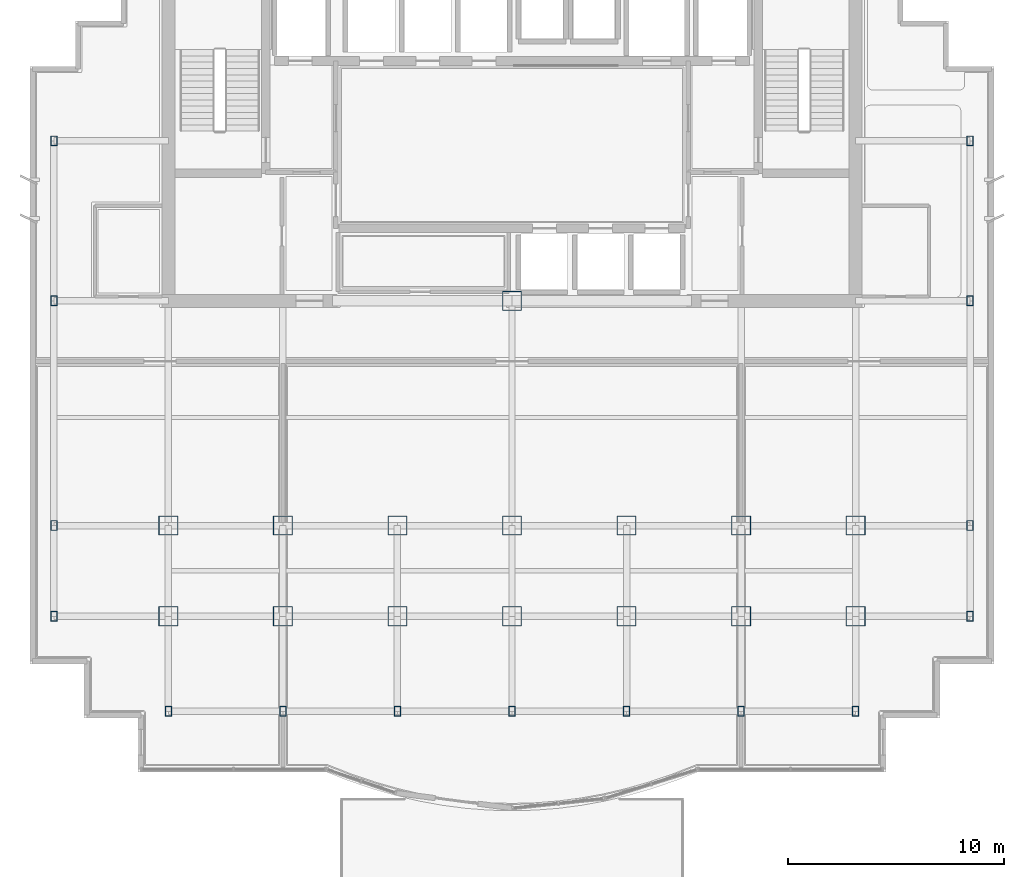
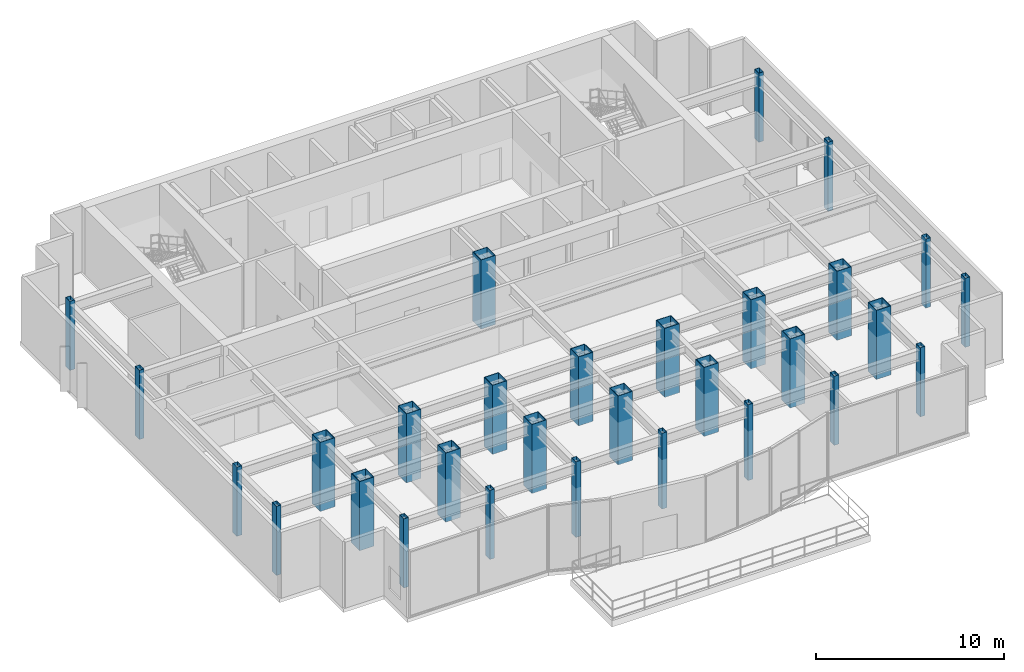
# One storey, part 1 of 9: 30 columns.
"""IFC4 building model written with IfcOpenShell, lengths in metres."""

import ifcopenshell
import ifcopenshell.guid

model = None  # the IFC model being written
_history = None  # IfcOwnerHistory: only IFC2X3 demands one
_inside = {}  # id of a spatial element -> (the spatial element, [elements in it])
_under = {}  # id of a project, library or spatial element -> (it, [spatial elements below it])
_declared = {}  # id of a project -> (the project, [libraries it declares])
_typed = {}  # id of a type object -> (the type object, [elements of that type])
_made_of = {}  # id of a material, layer set ... -> (it, [elements and type objects made of it])


def new_model(schema):
    """Start an empty IFC model of exactly this schema.

    Asked for "IFC4X3", IfcOpenShell would pick the latest addendum, in which some entities
    have other attributes; the version numbers below select the first issue.
    IFC2X3 requires an IfcOwnerHistory on every rooted entity: one is made here for all.
    """
    global model, _history
    if schema == "IFC4X3":
        model = ifcopenshell.file(schema_version=(4, 3, 0, 0))
    else:
        model = ifcopenshell.file(schema=schema)
    _inside.clear()
    _under.clear()
    _declared.clear()
    _typed.clear()
    _made_of.clear()
    _history = None
    if model.schema == "IFC2X3":
        org = make("IfcOrganization", Name="unknown")
        user = make(
            "IfcPersonAndOrganization",
            ThePerson=make("IfcPerson", FamilyName="unknown"),
            TheOrganization=org,
        )
        app = make(
            "IfcApplication",
            ApplicationDeveloper=org,
            Version="unknown",
            ApplicationFullName="unknown",
            ApplicationIdentifier="unknown",
        )
        _history = make(
            "IfcOwnerHistory",
            OwningUser=user,
            OwningApplication=app,
            ChangeAction="ADDED",
            CreationDate=0,
        )
    return model


def make(cls, **values):
    """One entity of the class cls with the attributes given. An attribute that is None is left unset."""
    return model.create_entity(
        cls, **{name: value for name, value in values.items() if value is not None}
    )


def rooted(cls, **values):
    """An entity with a GlobalId (a new one), such as an element, a storey or a relation."""
    return make(cls, GlobalId=ifcopenshell.guid.new(), OwnerHistory=_history, **values)


def si_unit(unit_type, name, prefix=None):
    """IfcSIUnit, for example si_unit("LENGTHUNIT", "METRE", prefix="MILLI")."""
    return make("IfcSIUnit", UnitType=unit_type, Prefix=prefix, Name=name)


def assignment(units):
    """IfcUnitAssignment: the units of a project."""
    return None if units is None else make("IfcUnitAssignment", Units=units)


def point(xyz):
    """IfcCartesianPoint."""
    return None if xyz is None else make("IfcCartesianPoint", Coordinates=xyz)


def direction(xyz):
    """IfcDirection."""
    return None if xyz is None else make("IfcDirection", DirectionRatios=xyz)


def frame(location, z_axis=None, x_axis=None):
    """IfcAxis2Placement3D, a coordinate frame: its origin and axes. An axis left out is left unset."""
    return make(
        "IfcAxis2Placement3D",
        Location=point(location),
        Axis=direction(z_axis),
        RefDirection=direction(x_axis),
    )


def frame_2d(location, x_axis=None):
    """IfcAxis2Placement2D, a coordinate frame in the plane: its origin and x axis."""
    return make(
        "IfcAxis2Placement2D", Location=point(location), RefDirection=direction(x_axis)
    )


def origin():
    """The frame at (0, 0, 0) with its axes left unset."""
    return frame((0.0, 0.0, 0.0))


def origin_2d():
    """The frame at (0, 0) in the plane with its x axis left unset."""
    return frame_2d((0.0, 0.0))


def place(relative_to, where):
    """IfcLocalPlacement: puts the frame where relative to a parent placement (None: the world)."""
    return make(
        "IfcLocalPlacement", PlacementRelTo=relative_to, RelativePlacement=where
    )


def context(
    kind, dimensions, precision=None, world=None, true_north=None, identifier=None
):
    """IfcGeometricRepresentationContext, for example the 3D "Model" context."""
    return make(
        "IfcGeometricRepresentationContext",
        ContextIdentifier=identifier,
        ContextType=kind,
        CoordinateSpaceDimension=dimensions,
        Precision=precision,
        WorldCoordinateSystem=world,
        TrueNorth=true_north,
    )


def subcontext(parent, identifier, kind, view, scale=None):
    """IfcGeometricRepresentationSubContext, for example "Body" below "Model"."""
    return make(
        "IfcGeometricRepresentationSubContext",
        ContextIdentifier=identifier,
        ContextType=kind,
        ParentContext=parent,
        TargetScale=scale,
        TargetView=view,
    )


def project(units=None, contexts=None):
    """IfcProject with its units and contexts."""
    return rooted(
        "IfcProject",
        Name="project",
        RepresentationContexts=contexts,
        UnitsInContext=assignment(units),
    )


def spatial(cls, under=None, at=None, **own):
    """A site, building, storey or space (cls), placed at a placement, below another one or the project."""
    s = rooted(cls, ObjectPlacement=at, **own)
    if under is not None:
        _under.setdefault(under.id(), (under, []))[1].append(s)
    return s


def profile(cls, at=None, kind="AREA", **sizes):
    """A parametric profile (cls). Its sizes go by their IFC names, for example OverallWidth=200.0."""
    return make(cls, ProfileType=kind, Position=at, **sizes)


def hollow_rectangle(**sizes):
    """IfcRectangleHollowProfileDef."""
    return profile("IfcRectangleHollowProfileDef", **sizes)


def extrude(swept, where, along, depth):
    """IfcExtrudedAreaSolid: the profile swept, set in the frame where, extruded along a direction by depth."""
    return make(
        "IfcExtrudedAreaSolid",
        SweptArea=swept,
        Position=where,
        ExtrudedDirection=direction(along),
        Depth=depth,
    )


def shape(context_of_items, identifier, shape_type, items):
    """IfcShapeRepresentation: the items that make up one representation, for example the "Body"."""
    return make(
        "IfcShapeRepresentation",
        ContextOfItems=context_of_items,
        RepresentationIdentifier=identifier,
        RepresentationType=shape_type,
        Items=items,
    )


def material(Name=None, Category=None):
    """IfcMaterial."""
    return make("IfcMaterial", Name=Name, Category=Category)


def material_profile(
    of_material, cross_section, Name=None, Category=None, Priority=None
):
    """IfcMaterialProfile: a cross section and its material."""
    return make(
        "IfcMaterialProfile",
        Name=Name,
        Material=of_material,
        Profile=cross_section,
        Priority=Priority,
        Category=Category,
    )


def profile_set(profiles, Name=None, composite=None):
    """IfcMaterialProfileSet."""
    return make(
        "IfcMaterialProfileSet",
        Name=Name,
        MaterialProfiles=profiles,
        CompositeProfile=composite,
    )


def made_of(thing, what):
    """Note that an element or type object is made of a material, layer set ...; save() writes the relation."""
    if what is not None:
        _made_of.setdefault(what.id(), (what, []))[1].append(thing)
    return thing


def type_object(cls, material=None, **own):
    """A type object (cls), such as IfcWallType, which elements share."""
    return made_of(rooted(cls, **own), material)


def element(
    cls,
    number,
    at=None,
    inside=None,
    cuts=None,
    type_object=None,
    material=None,
    context=None,
    identifier="Body",
    shape_type=None,
    held_by="IfcProductDefinitionShape",
    body=None,
    shapes=None,
    **own,
):
    """One element of the class cls, such as IfcWall. Its Tag is "e" and its number.

    at: its placement. inside: the storey or other place that contains it. cuts: it is an
    opening in that element (IfcRelVoidsElement). A single representation is given by context,
    identifier, shape_type and body (its items); several are given by shapes. held_by: the class
    of the entity that holds the representations. save() writes the other relations.
    """
    e = rooted(cls, Tag="e%d" % number, ObjectPlacement=at, **own)
    if body is not None:
        shapes = [shape(context, identifier, shape_type, body)]
    if shapes is not None:
        e.Representation = make(held_by, Representations=shapes)
    if inside is not None:
        _inside.setdefault(inside.id(), (inside, []))[1].append(e)
    if cuts is not None:
        rooted(
            "IfcRelVoidsElement", RelatingBuildingElement=cuts, RelatedOpeningElement=e
        )
    if type_object is not None:
        _typed.setdefault(type_object.id(), (type_object, []))[1].append(e)
    return made_of(e, material)


def aggregate(whole, parts):
    """IfcRelAggregates: a whole, such as a stair, and the parts it consists of."""
    return rooted("IfcRelAggregates", RelatingObject=whole, RelatedObjects=parts)


def save(model, path):
    """Write the relations noted so far, then the file.

    IfcRelAggregates (storeys below a building ...), IfcRelContainedInSpatialStructure (elements
    in a storey), IfcRelDefinesByType, IfcRelAssociatesMaterial and IfcRelDeclares: one each for
    every whole, place, type object, material and project.
    """
    for whole, parts in _under.values():
        aggregate(whole, parts)
    for where, things in _inside.values():
        rooted(
            "IfcRelContainedInSpatialStructure",
            RelatedElements=things,
            RelatingStructure=where,
        )
    for kind, things in _typed.values():
        rooted("IfcRelDefinesByType", RelatedObjects=things, RelatingType=kind)
    for what, things in _made_of.values():
        rooted("IfcRelAssociatesMaterial", RelatedObjects=things, RelatingMaterial=what)
    for by, libraries in _declared.values():
        rooted("IfcRelDeclares", RelatingContext=by, RelatedDefinitions=libraries)
    model.write(path)


model = new_model("IFC4")

# Units and contexts
model_context = context("Model", 3, precision=1e-05, world=origin(), true_north=direction((0.0, 1.0)))
body_context = subcontext(model_context, "Body", "Model", "MODEL_VIEW")
ifc_project = project(units=[si_unit("LENGTHUNIT", "METRE"), si_unit("AREAUNIT", "SQUARE_METRE"), si_unit("VOLUMEUNIT", "CUBIC_METRE"), si_unit("PLANEANGLEUNIT", "RADIAN"), si_unit("MASSUNIT", "GRAM", prefix="KILO")], contexts=[model_context])

# Site, building, storey
site_placement = place(None, origin())
site = spatial("IfcSite", under=ifc_project, at=site_placement, CompositionType="ELEMENT")
building_placement = place(site_placement, origin())
building = spatial("IfcBuilding", under=site, at=building_placement, Name="Qianlan Lanfeng Residences", CompositionType="ELEMENT")
storey_placement = place(building_placement, frame((0.0, 0.0, 134.699951171875)))
storey = spatial("IfcBuildingStorey", under=building, at=storey_placement, Name="L36", CompositionType="ELEMENT", Elevation=134.699951171875)

# Columns
ifc_material = material(Name="Steel SN490B", Category="steel")
ifc_material_profile_1 = material_profile(ifc_material, hollow_rectangle(XDim=0.89990234375, YDim=0.89990234375, WallThickness=0.031982421875, at=origin_2d()), Name="BOX 900x900x32")
ifc_profile_set_1 = profile_set([ifc_material_profile_1], Name="Steel SN490B")
column_type_1 = type_object("IfcColumnType", Name="C-B1000", PredefinedType="COLUMN", material=ifc_profile_set_1)
for number, where, z_axis, x_axis, name in (
    (1, (26.5, 25.199951171875, 0.0), (0.0, 0.0, 1.0), (1.0, 0.0, 0.0), "L36 Structural Column CP_26.5_25.2"),
    (2, (10.60009765625, 14.800048828125, 0.0), (0.0, 0.0, 1.0), (1.0, 0.0, 0.0), "L36 Structural Column M_10.60_14.80"),
    (3, (10.60009765625, 10.60009765625, 0.0), (0.0, 0.0, 1.0), (1.0, 0.0, 0.0), "L36 Structural Column G_10.60_10.60"),
    (4, (15.89990234375, 14.800048828125, 0.0), (0.0, 0.0, 1.0), (1.0, 0.0, 0.0), "L36 Structural Column M_15.90_14.80"),
    (5, (15.89990234375, 10.60009765625, 0.0), (0.0, 0.0, 1.0), (1.0, 0.0, 0.0), "L36 Structural Column G_15.90_10.60"),
    (6, (21.199951171875, 14.800048828125, 0.0), (0.0, 0.0, 1.0), (1.0, 0.0, 0.0), "L36 Structural Column M_21.20_14.80"),
    (7, (21.199951171875, 10.60009765625, 0.0), (0.0, 0.0, 1.0), (1.0, 0.0, 0.0), "L36 Structural Column G_21.20_10.60"),
    (8, (26.5, 14.800048828125, 0.0), (0.0, 0.0, 1.0), (1.0, 0.0, 0.0), "L36 Structural Column M_26.50_14.80"),
    (9, (26.5, 10.60009765625, 0.0), (0.0, 0.0, 1.0), (1.0, 0.0, 0.0), "L36 Structural Column G_26.50_10.60"),
    (10, (31.800048828125, 14.800048828125, 0.0), (0.0, 0.0, 1.0), (1.0, 0.0, 0.0), "L36 Structural Column M_31.80_14.80"),
    (11, (31.800048828125, 10.60009765625, 0.0), (0.0, 0.0, 1.0), (1.0, 0.0, 0.0), "L36 Structural Column G_31.80_10.60"),
    (12, (37.10009765625, 14.800048828125, 0.0), (0.0, 0.0, 1.0), (1.0, 0.0, 0.0), "L36 Structural Column M_37.10_14.80"),
    (13, (37.10009765625, 10.60009765625, 0.0), (0.0, 0.0, 1.0), (1.0, 0.0, 0.0), "L36 Structural Column G_37.10_10.60"),
    (14, (42.39990234375, 14.800048828125, 0.0), (0.0, 0.0, 1.0), (1.0, 0.0, 0.0), "L36 Structural Column M_42.40_14.80"),
    (15, (42.39990234375, 10.60009765625, 0.0), (0.0, 0.0, 1.0), (1.0, 0.0, 0.0), "L36 Structural Column G_42.40_10.60"),
):
    element("IfcColumn", number, at=place(storey_placement, frame(where, z_axis=z_axis, x_axis=x_axis)), inside=storey, type_object=column_type_1, Name=name, PredefinedType="COLUMN", context=body_context, shape_type="SweptSolid", body=[
        extrude(hollow_rectangle(XDim=0.89990234375, YDim=0.89990234375, WallThickness=0.031982421875, at=origin_2d()), origin(), (0.0, 0.0, 1.0), 4.5),
    ])
ifc_material_profile_2 = material_profile(ifc_material, hollow_rectangle(XDim=0.300048828125, YDim=0.449951171875, WallThickness=0.01611328125, at=origin_2d()), Name="RHS 450x300x16")
ifc_profile_set_2 = profile_set([ifc_material_profile_2], Name="Steel SN490B")
column_type_2 = type_object("IfcColumnType", Name="CE-B950", PredefinedType="COLUMN", material=ifc_profile_set_2)
for number, where, z_axis, x_axis, name in (
    (16, (10.60009765625, 6.199951171875, 0.0), (0.0, 0.0, 1.0), (1.0, 0.0, 0.0), "L36 Structural Column S_10.60_6.20"),
    (17, (15.89990234375, 6.199951171875, 0.0), (0.0, 0.0, 1.0), (1.0, 0.0, 0.0), "L36 Structural Column S_15.90_6.20"),
):
    element("IfcColumn", number, at=place(storey_placement, frame(where, z_axis=z_axis, x_axis=x_axis)), inside=storey, type_object=column_type_2, Name=name, PredefinedType="COLUMN", context=body_context, shape_type="SweptSolid", body=[
        extrude(hollow_rectangle(XDim=0.300048828125, YDim=0.449951171875, WallThickness=0.01611328125, at=origin_2d()), origin(), (0.0, 0.0, 1.0), 4.5),
    ])
for number, where, z_axis, x_axis, name in (
    (18, (21.199951171875, 6.199951171875, -0.429931640625), (0.0, 0.0, 1.0), (1.0, 0.0, 0.0), "L36 Structural Column S_21.20_6.20"),
    (19, (26.5, 6.199951171875, -0.429931640625), (0.0, 0.0, 1.0), (1.0, 0.0, 0.0), "L36 Structural Column S_26.50_6.20"),
    (20, (31.800048828125, 6.199951171875, -0.429931640625), (0.0, 0.0, 1.0), (1.0, 0.0, 0.0), "L36 Structural Column S_31.80_6.20"),
):
    element("IfcColumn", number, at=place(storey_placement, frame(where, z_axis=z_axis, x_axis=x_axis)), inside=storey, type_object=column_type_2, Name=name, PredefinedType="COLUMN", context=body_context, shape_type="SweptSolid", body=[
        extrude(hollow_rectangle(XDim=0.300048828125, YDim=0.449951171875, WallThickness=0.01611328125, at=origin_2d()), origin(), (0.0, 0.0, 1.0), 4.929931640625),
    ])
for number, where, z_axis, x_axis, name in (
    (21, (37.10009765625, 6.199951171875, 0.0), (0.0, 0.0, 1.0), (1.0, 0.0, 0.0), "L36 Structural Column S_37.10_6.20"),
    (22, (42.39990234375, 6.199951171875, 0.0), (0.0, 0.0, 1.0), (1.0, 0.0, 0.0), "L36 Structural Column S_42.40_6.20"),
    (23, (5.300048828125, 10.60009765625, 0.0), (0.0, 0.0, 1.0), (1.0, 0.0, 0.0), "L36 Structural Column W_5.30_10.60"),
    (24, (5.300048828125, 14.800048828125, 0.0), (0.0, 0.0, 1.0), (1.0, 0.0, 0.0), "L36 Structural Column W_5.30_14.80"),
    (25, (5.300048828125, 25.199951171875, 0.0), (0.0, 0.0, 1.0), (1.0, 0.0, 0.0), "L36 Structural Column W_5.30_25.20"),
    (26, (5.300048828125, 32.60009765625, 0.0), (0.0, 0.0, 1.0), (1.0, 0.0, 0.0), "L36 Structural Column W_5.30_32.60"),
    (27, (47.699951171875, 10.60009765625, 0.0), (0.0, 0.0, 1.0), (1.0, 0.0, 0.0), "L36 Structural Column W_47.70_10.60"),
    (28, (47.699951171875, 14.800048828125, 0.0), (0.0, 0.0, 1.0), (1.0, 0.0, 0.0), "L36 Structural Column W_47.70_14.80"),
    (29, (47.699951171875, 25.199951171875, 0.0), (0.0, 0.0, 1.0), (1.0, 0.0, 0.0), "L36 Structural Column W_47.70_25.20"),
    (30, (47.699951171875, 32.60009765625, 0.0), (0.0, 0.0, 1.0), (1.0, 0.0, 0.0), "L36 Structural Column W_47.70_32.60"),
):
    element("IfcColumn", number, at=place(storey_placement, frame(where, z_axis=z_axis, x_axis=x_axis)), inside=storey, type_object=column_type_2, Name=name, PredefinedType="COLUMN", context=body_context, shape_type="SweptSolid", body=[
        extrude(hollow_rectangle(XDim=0.300048828125, YDim=0.449951171875, WallThickness=0.01611328125, at=origin_2d()), origin(), (0.0, 0.0, 1.0), 4.5),
    ])

save(model, "model.ifc")
